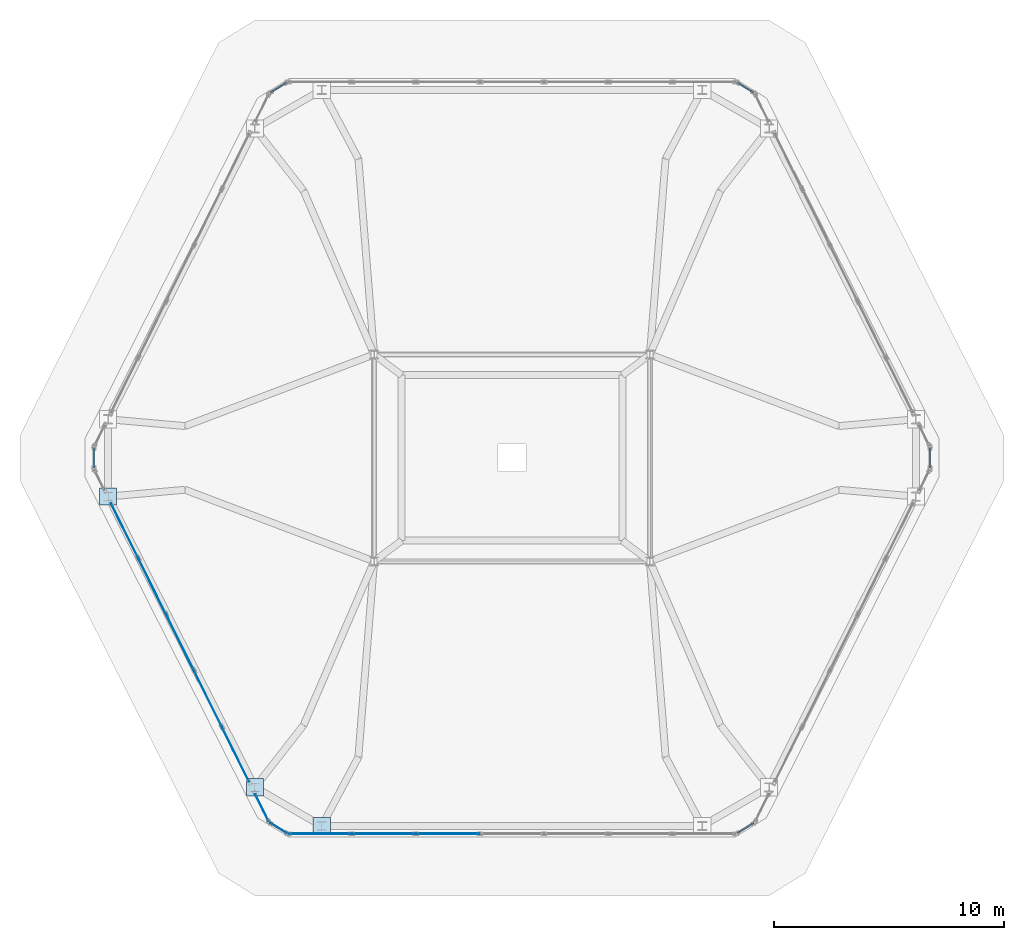
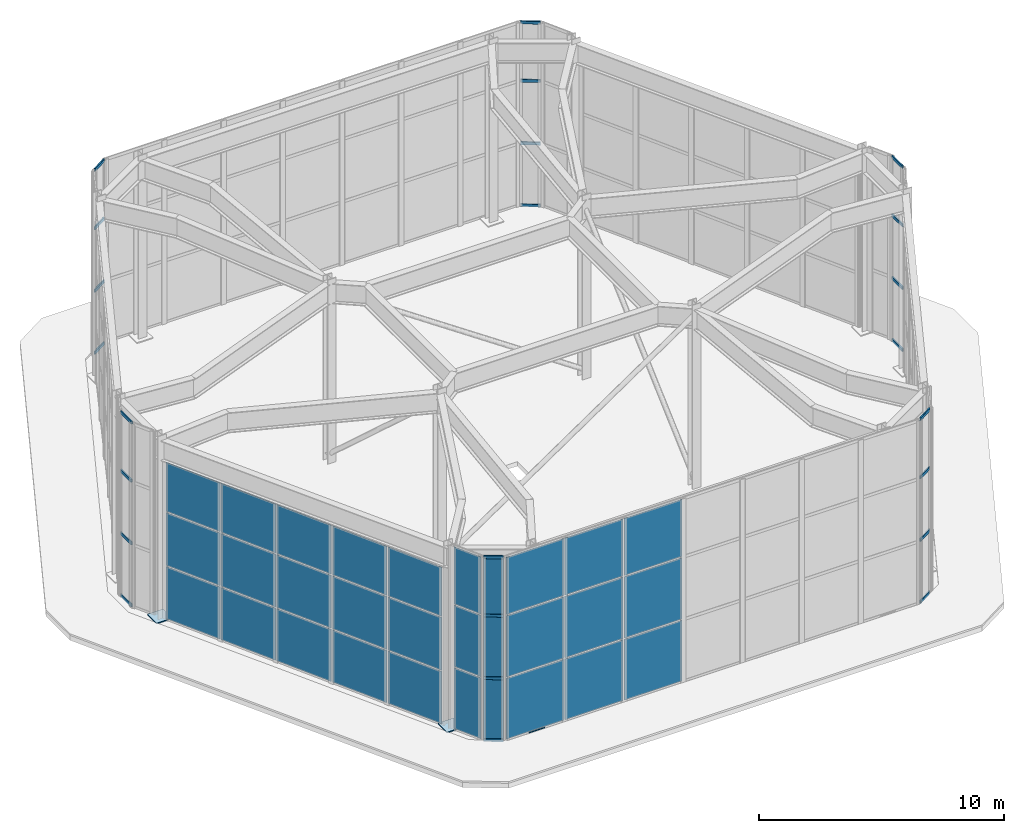
# One storey, part 9 of 12: 33 plates, 24 members, 9 elements without a shape of their own.
"""IFC4 building model written with IfcOpenShell, lengths in metres."""

from ifc_helpers import new_model, si_unit, direction, frame, origin, origin_2d, place, context, subcontext, project, spatial, rectangle, hollow_rectangle, extrude, material, layer, layer_set, material_profile, profile_set, type_object, element, aggregate, save


model = new_model("IFC4")

# Units and contexts
model_context = context("Model", 3, precision=1e-05, world=origin(), true_north=direction((0.0, 1.0)))
body_context = subcontext(model_context, "Body", "Model", "MODEL_VIEW")
ifc_project = project(units=[si_unit("LENGTHUNIT", "METRE"), si_unit("AREAUNIT", "SQUARE_METRE"), si_unit("VOLUMEUNIT", "CUBIC_METRE"), si_unit("PLANEANGLEUNIT", "RADIAN"), si_unit("MASSUNIT", "GRAM", prefix="KILO")], contexts=[model_context])

# Site, building, storey
site_placement = place(None, origin())
site = spatial("IfcSite", under=ifc_project, at=site_placement, CompositionType="ELEMENT")
building_placement = place(site_placement, origin())
building = spatial("IfcBuilding", under=site, at=building_placement, Name="Cinnabar Lancet Tower", CompositionType="ELEMENT")
storey_placement = place(building_placement, frame((0.0, 0.0, 305.5)))
storey = spatial("IfcBuildingStorey", under=building, at=storey_placement, Name="L80", CompositionType="ELEMENT", Elevation=305.5)

# Curtain wall, members
ifc_material_1 = material(Name="Thermally broken bronze-anodized aluminium and low-E glass", Category="aluminium")
ifc_layer_1 = layer(ifc_material_1, 0.179931640625)
ifc_layer_set_1 = layer_set([ifc_layer_1], Name="Thermally broken bronze-anodized aluminium and low-E glass")
curtain_wall_type = type_object("IfcCurtainWallType", Name="ENV-CW-SYS-05", PredefinedType="NOTDEFINED", material=ifc_layer_set_1)
curtain_wall_1_placement = place(storey_placement, origin())
curtain_wall_1 = element("IfcCurtainWall", 1, at=curtain_wall_1_placement, inside=storey, type_object=curtain_wall_type, Name="L80 Faceted Lancet Crown Curtain Wall 1", PredefinedType="NOTDEFINED")
ifc_material_2 = material(Name="Anodized architectural aluminium 6063-T6", Category="aluminium")
ifc_material_profile = material_profile(ifc_material_2, hollow_rectangle(XDim=0.06494140625, YDim=0.14990234375, WallThickness=0.00390625, InnerFilletRadius=0.001953125, OuterFilletRadius=0.006103515625, at=origin_2d()), Name="CW-TRN 150x65x4")
ifc_profile_set = profile_set([ifc_material_profile], Name="Anodized architectural aluminium 6063-T6")
member_type = type_object("IfcMemberType", Name="ENV-CW-TRN-160", PredefinedType="USERDEFINED", material=ifc_profile_set)
member_1_placement = place(storey_placement, frame((21.890869140625, 9.911376953125, 0.030029296875), z_axis=(0.849593860376, -0.527437458293, 0.0), x_axis=(0.527437458293, 0.849593860376, 0.0)))
member_1 = element("IfcMember", 2, at=member_1_placement, type_object=member_type, Name="CW-05 transom 1.1", ObjectType="TRANSOM", PredefinedType="USERDEFINED", context=body_context, shape_type="SweptSolid", body=[
    extrude(hollow_rectangle(XDim=0.06494140625, YDim=0.14990234375, WallThickness=0.00390625, InnerFilletRadius=0.001953125, OuterFilletRadius=0.006103515625, at=origin_2d()), origin(), (0.0, 0.0, 1.0), 0.814697265625),
])
member_2_placement = place(storey_placement, frame((21.890869140625, 9.911376953125, 3.1201171875), z_axis=(0.849593860376, -0.527437458293, 0.0), x_axis=(0.527437458293, 0.849593860376, 0.0)))
member_2 = element("IfcMember", 3, at=member_2_placement, type_object=member_type, Name="CW-05 transom 1.2", ObjectType="TRANSOM", PredefinedType="USERDEFINED", context=body_context, shape_type="SweptSolid", body=[
    extrude(hollow_rectangle(XDim=0.06494140625, YDim=0.14990234375, WallThickness=0.00390625, InnerFilletRadius=0.001953125, OuterFilletRadius=0.006103515625, at=origin_2d()), origin(), (0.0, 0.0, 1.0), 0.814697265625),
])
member_3_placement = place(storey_placement, frame((21.890869140625, 9.911376953125, 6.239013671875), z_axis=(0.849593860376, -0.527437458293, 0.0), x_axis=(0.527437458293, 0.849593860376, 0.0)))
member_3 = element("IfcMember", 4, at=member_3_placement, type_object=member_type, Name="CW-05 transom 1.3", ObjectType="TRANSOM", PredefinedType="USERDEFINED", context=body_context, shape_type="SweptSolid", body=[
    extrude(hollow_rectangle(XDim=0.06494140625, YDim=0.14990234375, WallThickness=0.00390625, InnerFilletRadius=0.001953125, OuterFilletRadius=0.006103515625, at=origin_2d()), origin(), (0.0, 0.0, 1.0), 0.814697265625),
])
member_4_placement = place(storey_placement, frame((21.890869140625, 9.911376953125, 9.14501953125), z_axis=(0.849593860376, -0.527437458293, 0.0), x_axis=(0.527437458293, 0.849593860376, 0.0)))
member_4 = element("IfcMember", 5, at=member_4_placement, type_object=member_type, Name="CW-05 transom 1.4", ObjectType="TRANSOM", PredefinedType="USERDEFINED", context=body_context, shape_type="SweptSolid", body=[
    extrude(hollow_rectangle(XDim=0.06494140625, YDim=0.14990234375, WallThickness=0.00390625, InnerFilletRadius=0.001953125, OuterFilletRadius=0.006103515625, at=origin_2d()), origin(), (0.0, 0.0, 1.0), 0.814697265625),
])

curtain_wall_2_placement = place(storey_placement, origin())
curtain_wall_2 = element("IfcCurtainWall", 6, at=curtain_wall_2_placement, inside=storey, type_object=curtain_wall_type, Name="L80 Faceted Lancet Crown Curtain Wall 3", PredefinedType="NOTDEFINED")
member_5_placement = place(storey_placement, frame((42.217041015625, 9.481689453125, 0.030029296875), z_axis=(0.849510460362, 0.52757177496, 0.0), x_axis=(-0.52757177496, 0.849510460362, 0.0)))
member_5 = element("IfcMember", 7, at=member_5_placement, type_object=member_type, Name="CW-05 transom 1.1", ObjectType="TRANSOM", PredefinedType="USERDEFINED", context=body_context, shape_type="SweptSolid", body=[
    extrude(hollow_rectangle(XDim=0.06494140625, YDim=0.14990234375, WallThickness=0.00390625, InnerFilletRadius=0.001953125, OuterFilletRadius=0.006103515625, at=origin_2d()), origin(), (0.0, 0.0, 1.0), 0.814453125),
])
member_6_placement = place(storey_placement, frame((42.217041015625, 9.481689453125, 3.1201171875), z_axis=(0.849510460362, 0.52757177496, 0.0), x_axis=(-0.52757177496, 0.849510460362, 0.0)))
member_6 = element("IfcMember", 8, at=member_6_placement, type_object=member_type, Name="CW-05 transom 1.2", ObjectType="TRANSOM", PredefinedType="USERDEFINED", context=body_context, shape_type="SweptSolid", body=[
    extrude(hollow_rectangle(XDim=0.06494140625, YDim=0.14990234375, WallThickness=0.00390625, InnerFilletRadius=0.001953125, OuterFilletRadius=0.006103515625, at=origin_2d()), origin(), (0.0, 0.0, 1.0), 0.814453125),
])
member_7_placement = place(storey_placement, frame((42.217041015625, 9.481689453125, 6.239013671875), z_axis=(0.849510460362, 0.52757177496, 0.0), x_axis=(-0.52757177496, 0.849510460362, 0.0)))
member_7 = element("IfcMember", 9, at=member_7_placement, type_object=member_type, Name="CW-05 transom 1.3", ObjectType="TRANSOM", PredefinedType="USERDEFINED", context=body_context, shape_type="SweptSolid", body=[
    extrude(hollow_rectangle(XDim=0.06494140625, YDim=0.14990234375, WallThickness=0.00390625, InnerFilletRadius=0.001953125, OuterFilletRadius=0.006103515625, at=origin_2d()), origin(), (0.0, 0.0, 1.0), 0.814453125),
])
member_8_placement = place(storey_placement, frame((42.217041015625, 9.481689453125, 9.14501953125), z_axis=(0.849510460362, 0.52757177496, 0.0), x_axis=(-0.52757177496, 0.849510460362, 0.0)))
member_8 = element("IfcMember", 10, at=member_8_placement, type_object=member_type, Name="CW-05 transom 1.4", ObjectType="TRANSOM", PredefinedType="USERDEFINED", context=body_context, shape_type="SweptSolid", body=[
    extrude(hollow_rectangle(XDim=0.06494140625, YDim=0.14990234375, WallThickness=0.00390625, InnerFilletRadius=0.001953125, OuterFilletRadius=0.006103515625, at=origin_2d()), origin(), (0.0, 0.0, 1.0), 0.814453125),
])
aggregate(curtain_wall_2, [member_5, member_6, member_7, member_8])

curtain_wall_3_placement = place(storey_placement, origin())
curtain_wall_3 = element("IfcCurtainWall", 11, at=curtain_wall_3_placement, inside=storey, type_object=curtain_wall_type, Name="L80 Faceted Lancet Crown Curtain Wall 7", PredefinedType="NOTDEFINED")
member_9_placement = place(storey_placement, frame((50.576904296875, 25.366943359375, 0.030029296875), z_axis=(0.0, 1.0, 0.0), x_axis=(-1.0, 0.0, 0.0)))
member_9 = element("IfcMember", 12, at=member_9_placement, type_object=member_type, Name="CW-05 transom 1.1", ObjectType="TRANSOM", PredefinedType="USERDEFINED", context=body_context, shape_type="SweptSolid", body=[
    extrude(hollow_rectangle(XDim=0.06494140625, YDim=0.14990234375, WallThickness=0.00390625, InnerFilletRadius=0.001953125, OuterFilletRadius=0.006103515625, at=origin_2d()), origin(), (0.0, 0.0, 1.0), 0.865966796875),
])
member_10_placement = place(storey_placement, frame((50.576904296875, 25.366943359375, 3.1201171875), z_axis=(0.0, 1.0, 0.0), x_axis=(-1.0, 0.0, 0.0)))
member_10 = element("IfcMember", 13, at=member_10_placement, type_object=member_type, Name="CW-05 transom 1.2", ObjectType="TRANSOM", PredefinedType="USERDEFINED", context=body_context, shape_type="SweptSolid", body=[
    extrude(hollow_rectangle(XDim=0.06494140625, YDim=0.14990234375, WallThickness=0.00390625, InnerFilletRadius=0.001953125, OuterFilletRadius=0.006103515625, at=origin_2d()), origin(), (0.0, 0.0, 1.0), 0.865966796875),
])
member_11_placement = place(storey_placement, frame((50.576904296875, 25.366943359375, 6.239013671875), z_axis=(0.0, 1.0, 0.0), x_axis=(-1.0, 0.0, 0.0)))
member_11 = element("IfcMember", 14, at=member_11_placement, type_object=member_type, Name="CW-05 transom 1.3", ObjectType="TRANSOM", PredefinedType="USERDEFINED", context=body_context, shape_type="SweptSolid", body=[
    extrude(hollow_rectangle(XDim=0.06494140625, YDim=0.14990234375, WallThickness=0.00390625, InnerFilletRadius=0.001953125, OuterFilletRadius=0.006103515625, at=origin_2d()), origin(), (0.0, 0.0, 1.0), 0.865966796875),
])
member_12_placement = place(storey_placement, frame((50.576904296875, 25.366943359375, 9.14501953125), z_axis=(0.0, 1.0, 0.0), x_axis=(-1.0, 0.0, 0.0)))
member_12 = element("IfcMember", 15, at=member_12_placement, type_object=member_type, Name="CW-05 transom 1.4", ObjectType="TRANSOM", PredefinedType="USERDEFINED", context=body_context, shape_type="SweptSolid", body=[
    extrude(hollow_rectangle(XDim=0.06494140625, YDim=0.14990234375, WallThickness=0.00390625, InnerFilletRadius=0.001953125, OuterFilletRadius=0.006103515625, at=origin_2d()), origin(), (0.0, 0.0, 1.0), 0.865966796875),
])
aggregate(curtain_wall_3, [member_9, member_10, member_11, member_12])

curtain_wall_4_placement = place(storey_placement, origin())
curtain_wall_4 = element("IfcCurtainWall", 16, at=curtain_wall_4_placement, inside=storey, type_object=curtain_wall_type, Name="L80 Faceted Lancet Crown Curtain Wall 11", PredefinedType="NOTDEFINED")
member_13_placement = place(storey_placement, frame((42.908935546875, 41.688720703125, 0.030029296875), z_axis=(-0.849510460362, 0.52757177496, 0.0), x_axis=(-0.52757177496, -0.849510460362, 0.0)))
member_13 = element("IfcMember", 17, at=member_13_placement, type_object=member_type, Name="CW-05 transom 1.1", ObjectType="TRANSOM", PredefinedType="USERDEFINED", context=body_context, shape_type="SweptSolid", body=[
    extrude(hollow_rectangle(XDim=0.06494140625, YDim=0.14990234375, WallThickness=0.00390625, InnerFilletRadius=0.001953125, OuterFilletRadius=0.006103515625, at=origin_2d()), origin(), (0.0, 0.0, 1.0), 0.814453125),
])
member_14_placement = place(storey_placement, frame((42.908935546875, 41.688720703125, 3.1201171875), z_axis=(-0.849510460362, 0.52757177496, 0.0), x_axis=(-0.52757177496, -0.849510460362, 0.0)))
member_14 = element("IfcMember", 18, at=member_14_placement, type_object=member_type, Name="CW-05 transom 1.2", ObjectType="TRANSOM", PredefinedType="USERDEFINED", context=body_context, shape_type="SweptSolid", body=[
    extrude(hollow_rectangle(XDim=0.06494140625, YDim=0.14990234375, WallThickness=0.00390625, InnerFilletRadius=0.001953125, OuterFilletRadius=0.006103515625, at=origin_2d()), origin(), (0.0, 0.0, 1.0), 0.814453125),
])
member_15_placement = place(storey_placement, frame((42.908935546875, 41.688720703125, 6.239013671875), z_axis=(-0.849510460362, 0.52757177496, 0.0), x_axis=(-0.52757177496, -0.849510460362, 0.0)))
member_15 = element("IfcMember", 19, at=member_15_placement, type_object=member_type, Name="CW-05 transom 1.3", ObjectType="TRANSOM", PredefinedType="USERDEFINED", context=body_context, shape_type="SweptSolid", body=[
    extrude(hollow_rectangle(XDim=0.06494140625, YDim=0.14990234375, WallThickness=0.00390625, InnerFilletRadius=0.001953125, OuterFilletRadius=0.006103515625, at=origin_2d()), origin(), (0.0, 0.0, 1.0), 0.814453125),
])
member_16_placement = place(storey_placement, frame((42.908935546875, 41.688720703125, 9.14501953125), z_axis=(-0.849510460362, 0.52757177496, 0.0), x_axis=(-0.52757177496, -0.849510460362, 0.0)))
member_16 = element("IfcMember", 20, at=member_16_placement, type_object=member_type, Name="CW-05 transom 1.4", ObjectType="TRANSOM", PredefinedType="USERDEFINED", context=body_context, shape_type="SweptSolid", body=[
    extrude(hollow_rectangle(XDim=0.06494140625, YDim=0.14990234375, WallThickness=0.00390625, InnerFilletRadius=0.001953125, OuterFilletRadius=0.006103515625, at=origin_2d()), origin(), (0.0, 0.0, 1.0), 0.814453125),
])
aggregate(curtain_wall_4, [member_13, member_14, member_15, member_16])

curtain_wall_5_placement = place(storey_placement, origin())
curtain_wall_5 = element("IfcCurtainWall", 21, at=curtain_wall_5_placement, inside=storey, type_object=curtain_wall_type, Name="L80 Faceted Lancet Crown Curtain Wall 13", PredefinedType="NOTDEFINED")
member_17_placement = place(storey_placement, frame((22.5830078125, 42.118408203125, 0.030029296875), z_axis=(-0.849593860376, -0.527437458293, 0.0), x_axis=(0.527437458293, -0.849593860376, 0.0)))
member_17 = element("IfcMember", 22, at=member_17_placement, type_object=member_type, Name="CW-05 transom 1.1", ObjectType="TRANSOM", PredefinedType="USERDEFINED", context=body_context, shape_type="SweptSolid", body=[
    extrude(hollow_rectangle(XDim=0.06494140625, YDim=0.14990234375, WallThickness=0.00390625, InnerFilletRadius=0.001953125, OuterFilletRadius=0.006103515625, at=origin_2d()), origin(), (0.0, 0.0, 1.0), 0.814697265625),
])
member_18_placement = place(storey_placement, frame((22.5830078125, 42.118408203125, 3.1201171875), z_axis=(-0.849593860376, -0.527437458293, 0.0), x_axis=(0.527437458293, -0.849593860376, 0.0)))
member_18 = element("IfcMember", 23, at=member_18_placement, type_object=member_type, Name="CW-05 transom 1.2", ObjectType="TRANSOM", PredefinedType="USERDEFINED", context=body_context, shape_type="SweptSolid", body=[
    extrude(hollow_rectangle(XDim=0.06494140625, YDim=0.14990234375, WallThickness=0.00390625, InnerFilletRadius=0.001953125, OuterFilletRadius=0.006103515625, at=origin_2d()), origin(), (0.0, 0.0, 1.0), 0.814697265625),
])
member_19_placement = place(storey_placement, frame((22.5830078125, 42.118408203125, 6.239013671875), z_axis=(-0.849593860376, -0.527437458293, 0.0), x_axis=(0.527437458293, -0.849593860376, 0.0)))
member_19 = element("IfcMember", 24, at=member_19_placement, type_object=member_type, Name="CW-05 transom 1.3", ObjectType="TRANSOM", PredefinedType="USERDEFINED", context=body_context, shape_type="SweptSolid", body=[
    extrude(hollow_rectangle(XDim=0.06494140625, YDim=0.14990234375, WallThickness=0.00390625, InnerFilletRadius=0.001953125, OuterFilletRadius=0.006103515625, at=origin_2d()), origin(), (0.0, 0.0, 1.0), 0.814697265625),
])
member_20_placement = place(storey_placement, frame((22.5830078125, 42.118408203125, 9.14501953125), z_axis=(-0.849593860376, -0.527437458293, 0.0), x_axis=(0.527437458293, -0.849593860376, 0.0)))
member_20 = element("IfcMember", 25, at=member_20_placement, type_object=member_type, Name="CW-05 transom 1.4", ObjectType="TRANSOM", PredefinedType="USERDEFINED", context=body_context, shape_type="SweptSolid", body=[
    extrude(hollow_rectangle(XDim=0.06494140625, YDim=0.14990234375, WallThickness=0.00390625, InnerFilletRadius=0.001953125, OuterFilletRadius=0.006103515625, at=origin_2d()), origin(), (0.0, 0.0, 1.0), 0.814697265625),
])
aggregate(curtain_wall_5, [member_17, member_18, member_19, member_20])

curtain_wall_6_placement = place(storey_placement, origin())
curtain_wall_6 = element("IfcCurtainWall", 26, at=curtain_wall_6_placement, inside=storey, type_object=curtain_wall_type, Name="L80 Faceted Lancet Crown Curtain Wall 17", PredefinedType="NOTDEFINED")
member_21_placement = place(storey_placement, frame((14.222900390625, 26.23291015625, 0.030029296875), z_axis=(0.0, -1.0, 0.0), x_axis=(1.0, 0.0, 0.0)))
member_21 = element("IfcMember", 27, at=member_21_placement, type_object=member_type, Name="CW-05 transom 1.1", ObjectType="TRANSOM", PredefinedType="USERDEFINED", context=body_context, shape_type="SweptSolid", body=[
    extrude(hollow_rectangle(XDim=0.06494140625, YDim=0.14990234375, WallThickness=0.00390625, InnerFilletRadius=0.001953125, OuterFilletRadius=0.006103515625, at=origin_2d()), origin(), (0.0, 0.0, 1.0), 0.865966796875),
])
member_22_placement = place(storey_placement, frame((14.222900390625, 26.23291015625, 3.1201171875), z_axis=(0.0, -1.0, 0.0), x_axis=(1.0, 0.0, 0.0)))
member_22 = element("IfcMember", 28, at=member_22_placement, type_object=member_type, Name="CW-05 transom 1.2", ObjectType="TRANSOM", PredefinedType="USERDEFINED", context=body_context, shape_type="SweptSolid", body=[
    extrude(hollow_rectangle(XDim=0.06494140625, YDim=0.14990234375, WallThickness=0.00390625, InnerFilletRadius=0.001953125, OuterFilletRadius=0.006103515625, at=origin_2d()), origin(), (0.0, 0.0, 1.0), 0.865966796875),
])
member_23_placement = place(storey_placement, frame((14.222900390625, 26.23291015625, 6.239013671875), z_axis=(0.0, -1.0, 0.0), x_axis=(1.0, 0.0, 0.0)))
member_23 = element("IfcMember", 29, at=member_23_placement, type_object=member_type, Name="CW-05 transom 1.3", ObjectType="TRANSOM", PredefinedType="USERDEFINED", context=body_context, shape_type="SweptSolid", body=[
    extrude(hollow_rectangle(XDim=0.06494140625, YDim=0.14990234375, WallThickness=0.00390625, InnerFilletRadius=0.001953125, OuterFilletRadius=0.006103515625, at=origin_2d()), origin(), (0.0, 0.0, 1.0), 0.865966796875),
])
member_24_placement = place(storey_placement, frame((14.222900390625, 26.23291015625, 9.14501953125), z_axis=(0.0, -1.0, 0.0), x_axis=(1.0, 0.0, 0.0)))
member_24 = element("IfcMember", 30, at=member_24_placement, type_object=member_type, Name="CW-05 transom 1.4", ObjectType="TRANSOM", PredefinedType="USERDEFINED", context=body_context, shape_type="SweptSolid", body=[
    extrude(hollow_rectangle(XDim=0.06494140625, YDim=0.14990234375, WallThickness=0.00390625, InnerFilletRadius=0.001953125, OuterFilletRadius=0.006103515625, at=origin_2d()), origin(), (0.0, 0.0, 1.0), 0.865966796875),
])
aggregate(curtain_wall_6, [member_21, member_22, member_23, member_24])

# Plate
ifc_material_3 = material(Name="Acoustic solar-control low-E laminated glass unit", Category="glass")
ifc_layer_2 = layer(ifc_material_3, 0.035888671875)
ifc_layer_set_2 = layer_set([ifc_layer_2], Name="Acoustic solar-control low-E laminated glass unit")
plate_type_1 = type_object("IfcPlateType", Name="ENV-CW-PNL-36", PredefinedType="CURTAIN_PANEL", material=ifc_layer_set_2)
plate_1_placement = place(storey_placement, frame((22.237060546875, 9.696533203125, 0.06005859375), z_axis=(0.0, 0.0, 1.0), x_axis=(0.849557497009, -0.527496027734, 0.0)))
plate_1 = element("IfcPlate", 31, at=plate_1_placement, type_object=plate_type_1, Name="CW-05 panel 1.1", PredefinedType="CURTAIN_PANEL", context=body_context, shape_type="SweptSolid", body=[
    extrude(rectangle(XDim=0.814697265625, YDim=0.028076171875, at=origin_2d()), origin(), (0.0, 0.0, 1.0), 3.030029296875),
])

plate_2_placement = place(storey_placement, frame((22.237060546875, 9.696533203125, 3.14990234375), z_axis=(0.0, 0.0, 1.0), x_axis=(0.849557497009, -0.527496027734, 0.0)))
plate_2 = element("IfcPlate", 32, at=plate_2_placement, type_object=plate_type_1, Name="CW-05 panel 1.2", PredefinedType="CURTAIN_PANEL", context=body_context, shape_type="SweptSolid", body=[
    extrude(rectangle(XDim=0.814697265625, YDim=0.028076171875, at=origin_2d()), origin(), (0.0, 0.0, 1.0), 3.05908203125),
])

plate_3_placement = place(storey_placement, frame((22.237060546875, 9.696533203125, 6.26904296875), z_axis=(0.0, 0.0, 1.0), x_axis=(0.849557497009, -0.527496027734, 0.0)))
plate_3 = element("IfcPlate", 33, at=plate_3_placement, type_object=plate_type_1, Name="CW-05 panel 1.3", PredefinedType="CURTAIN_PANEL", context=body_context, shape_type="SweptSolid", body=[
    extrude(rectangle(XDim=0.814697265625, YDim=0.028076171875, at=origin_2d()), origin(), (0.0, 0.0, 1.0), 2.845947265625),
])

aggregate(curtain_wall_1, [member_1, member_2, member_3, member_4, plate_1, plate_2, plate_3])

# Curtain wall, plates
curtain_wall_7_placement = place(storey_placement, origin())
curtain_wall_7 = element("IfcCurtainWall", 34, at=curtain_wall_7_placement, inside=storey, type_object=curtain_wall_type, Name="L80 Faceted Lancet Crown Curtain Wall 2", PredefinedType="NOTDEFINED")
plate_4_placement = place(storey_placement, frame((24.044189453125, 9.449951171875, 0.06005859375), z_axis=(0.0, 0.0, 1.0), x_axis=(1.0, 0.0, 0.0)))
plate_4 = element("IfcPlate", 35, at=plate_4_placement, type_object=plate_type_1, Name="CW-05 panel 1.1", PredefinedType="CURTAIN_PANEL", context=body_context, shape_type="SweptSolid", body=[
    extrude(rectangle(XDim=2.7001953125, YDim=0.028076171875, at=origin_2d()), origin(), (0.0, 0.0, 1.0), 3.030029296875),
])
plate_5_placement = place(storey_placement, frame((24.044189453125, 9.449951171875, 3.14990234375), z_axis=(0.0, 0.0, 1.0), x_axis=(1.0, 0.0, 0.0)))
plate_5 = element("IfcPlate", 36, at=plate_5_placement, type_object=plate_type_1, Name="CW-05 panel 1.2", PredefinedType="CURTAIN_PANEL", context=body_context, shape_type="SweptSolid", body=[
    extrude(rectangle(XDim=2.7001953125, YDim=0.028076171875, at=origin_2d()), origin(), (0.0, 0.0, 1.0), 3.05908203125),
])
plate_6_placement = place(storey_placement, frame((24.044189453125, 9.449951171875, 6.26904296875), z_axis=(0.0, 0.0, 1.0), x_axis=(1.0, 0.0, 0.0)))
plate_6 = element("IfcPlate", 37, at=plate_6_placement, type_object=plate_type_1, Name="CW-05 panel 1.3", PredefinedType="CURTAIN_PANEL", context=body_context, shape_type="SweptSolid", body=[
    extrude(rectangle(XDim=2.7001953125, YDim=0.028076171875, at=origin_2d()), origin(), (0.0, 0.0, 1.0), 2.845947265625),
])
plate_7_placement = place(storey_placement, frame((26.8193359375, 9.449951171875, 0.06005859375), z_axis=(0.0, 0.0, 1.0), x_axis=(1.0, 0.0, 0.0)))
plate_7 = element("IfcPlate", 38, at=plate_7_placement, type_object=plate_type_1, Name="CW-05 panel 2.1", PredefinedType="CURTAIN_PANEL", context=body_context, shape_type="SweptSolid", body=[
    extrude(rectangle(XDim=2.730224609375, YDim=0.028076171875, at=origin_2d()), origin(), (0.0, 0.0, 1.0), 3.030029296875),
])
plate_8_placement = place(storey_placement, frame((26.8193359375, 9.449951171875, 3.14990234375), z_axis=(0.0, 0.0, 1.0), x_axis=(1.0, 0.0, 0.0)))
plate_8 = element("IfcPlate", 39, at=plate_8_placement, type_object=plate_type_1, Name="CW-05 panel 2.2", PredefinedType="CURTAIN_PANEL", context=body_context, shape_type="SweptSolid", body=[
    extrude(rectangle(XDim=2.730224609375, YDim=0.028076171875, at=origin_2d()), origin(), (0.0, 0.0, 1.0), 3.05908203125),
])
plate_9_placement = place(storey_placement, frame((26.8193359375, 9.449951171875, 6.26904296875), z_axis=(0.0, 0.0, 1.0), x_axis=(1.0, 0.0, 0.0)))
plate_9 = element("IfcPlate", 40, at=plate_9_placement, type_object=plate_type_1, Name="CW-05 panel 2.3", PredefinedType="CURTAIN_PANEL", context=body_context, shape_type="SweptSolid", body=[
    extrude(rectangle(XDim=2.730224609375, YDim=0.028076171875, at=origin_2d()), origin(), (0.0, 0.0, 1.0), 2.845947265625),
])
plate_10_placement = place(storey_placement, frame((29.609619140625, 9.449951171875, 0.06005859375), z_axis=(0.0, 0.0, 1.0), x_axis=(1.0, 0.0, 0.0)))
plate_10 = element("IfcPlate", 41, at=plate_10_placement, type_object=plate_type_1, Name="CW-05 panel 3.1", PredefinedType="CURTAIN_PANEL", context=body_context, shape_type="SweptSolid", body=[
    extrude(rectangle(XDim=2.730224609375, YDim=0.028076171875, at=origin_2d()), origin(), (0.0, 0.0, 1.0), 3.030029296875),
])
plate_11_placement = place(storey_placement, frame((29.609619140625, 9.449951171875, 3.14990234375), z_axis=(0.0, 0.0, 1.0), x_axis=(1.0, 0.0, 0.0)))
plate_11 = element("IfcPlate", 42, at=plate_11_placement, type_object=plate_type_1, Name="CW-05 panel 3.2", PredefinedType="CURTAIN_PANEL", context=body_context, shape_type="SweptSolid", body=[
    extrude(rectangle(XDim=2.730224609375, YDim=0.028076171875, at=origin_2d()), origin(), (0.0, 0.0, 1.0), 3.05908203125),
])
plate_12_placement = place(storey_placement, frame((29.609619140625, 9.449951171875, 6.26904296875), z_axis=(0.0, 0.0, 1.0), x_axis=(1.0, 0.0, 0.0)))
plate_12 = element("IfcPlate", 43, at=plate_12_placement, type_object=plate_type_1, Name="CW-05 panel 3.3", PredefinedType="CURTAIN_PANEL", context=body_context, shape_type="SweptSolid", body=[
    extrude(rectangle(XDim=2.730224609375, YDim=0.028076171875, at=origin_2d()), origin(), (0.0, 0.0, 1.0), 2.845947265625),
])
aggregate(curtain_wall_7, [plate_4, plate_5, plate_6, plate_7, plate_8, plate_9, plate_10, plate_11, plate_12])

curtain_wall_8_placement = place(storey_placement, origin())
curtain_wall_8 = element("IfcCurtainWall", 44, at=curtain_wall_8_placement, inside=storey, type_object=curtain_wall_type, Name="L80 Faceted Lancet Crown Curtain Wall 19", PredefinedType="NOTDEFINED")
plate_13_placement = place(storey_placement, frame((15.546142578125, 22.63818359375, 0.06005859375), z_axis=(0.0, 0.0, 1.0), x_axis=(0.44415945955, -0.8959477521, 0.0)))
plate_13 = element("IfcPlate", 45, at=plate_13_placement, type_object=plate_type_1, Name="CW-05 panel 1.1", PredefinedType="CURTAIN_PANEL", context=body_context, shape_type="SweptSolid", body=[
    extrude(rectangle(XDim=2.636474609375, YDim=0.028076171875, at=origin_2d()), origin(), (0.0, 0.0, 1.0), 2.60107421875),
])
plate_14_placement = place(storey_placement, frame((15.546142578125, 22.63818359375, 2.72119140625), z_axis=(0.0, 0.0, 1.0), x_axis=(0.44415945955, -0.8959477521, 0.0)))
plate_14 = element("IfcPlate", 46, at=plate_14_placement, type_object=plate_type_1, Name="CW-05 panel 1.2", PredefinedType="CURTAIN_PANEL", context=body_context, shape_type="SweptSolid", body=[
    extrude(rectangle(XDim=2.636474609375, YDim=0.028076171875, at=origin_2d()), origin(), (0.0, 0.0, 1.0), 2.631103515625),
])
plate_15_placement = place(storey_placement, frame((15.546142578125, 22.63818359375, 5.412109375), z_axis=(0.0, 0.0, 1.0), x_axis=(0.44415945955, -0.8959477521, 0.0)))
plate_15 = element("IfcPlate", 47, at=plate_15_placement, type_object=plate_type_1, Name="CW-05 panel 1.3", PredefinedType="CURTAIN_PANEL", context=body_context, shape_type="SweptSolid", body=[
    extrude(rectangle(XDim=2.636474609375, YDim=0.028076171875, at=origin_2d()), origin(), (0.0, 0.0, 1.0), 2.443115234375),
])
plate_16_placement = place(storey_placement, frame((16.75048828125, 20.208740234375, 0.06005859375), z_axis=(0.0, 0.0, 1.0), x_axis=(0.44415945955, -0.8959477521, 0.0)))
plate_16 = element("IfcPlate", 48, at=plate_16_placement, type_object=plate_type_1, Name="CW-05 panel 2.1", PredefinedType="CURTAIN_PANEL", context=body_context, shape_type="SweptSolid", body=[
    extrude(rectangle(XDim=2.66650390625, YDim=0.028076171875, at=origin_2d()), origin(), (0.0, 0.0, 1.0), 2.60107421875),
])
plate_17_placement = place(storey_placement, frame((16.75048828125, 20.208740234375, 2.72119140625), z_axis=(0.0, 0.0, 1.0), x_axis=(0.44415945955, -0.8959477521, 0.0)))
plate_17 = element("IfcPlate", 49, at=plate_17_placement, type_object=plate_type_1, Name="CW-05 panel 2.2", PredefinedType="CURTAIN_PANEL", context=body_context, shape_type="SweptSolid", body=[
    extrude(rectangle(XDim=2.66650390625, YDim=0.028076171875, at=origin_2d()), origin(), (0.0, 0.0, 1.0), 2.631103515625),
])
plate_18_placement = place(storey_placement, frame((16.75048828125, 20.208740234375, 5.412109375), z_axis=(0.0, 0.0, 1.0), x_axis=(0.44415945955, -0.8959477521, 0.0)))
plate_18 = element("IfcPlate", 50, at=plate_18_placement, type_object=plate_type_1, Name="CW-05 panel 2.3", PredefinedType="CURTAIN_PANEL", context=body_context, shape_type="SweptSolid", body=[
    extrude(rectangle(XDim=2.66650390625, YDim=0.028076171875, at=origin_2d()), origin(), (0.0, 0.0, 1.0), 2.443115234375),
])
plate_19_placement = place(storey_placement, frame((17.96142578125, 17.76611328125, 0.06005859375), z_axis=(0.0, 0.0, 1.0), x_axis=(0.44415945955, -0.8959477521, 0.0)))
plate_19 = element("IfcPlate", 51, at=plate_19_placement, type_object=plate_type_1, Name="CW-05 panel 3.1", PredefinedType="CURTAIN_PANEL", context=body_context, shape_type="SweptSolid", body=[
    extrude(rectangle(XDim=2.66650390625, YDim=0.028076171875, at=origin_2d()), origin(), (0.0, 0.0, 1.0), 2.60107421875),
])
plate_20_placement = place(storey_placement, frame((17.96142578125, 17.76611328125, 2.72119140625), z_axis=(0.0, 0.0, 1.0), x_axis=(0.44415945955, -0.8959477521, 0.0)))
plate_20 = element("IfcPlate", 52, at=plate_20_placement, type_object=plate_type_1, Name="CW-05 panel 3.2", PredefinedType="CURTAIN_PANEL", context=body_context, shape_type="SweptSolid", body=[
    extrude(rectangle(XDim=2.66650390625, YDim=0.028076171875, at=origin_2d()), origin(), (0.0, 0.0, 1.0), 2.631103515625),
])
plate_21_placement = place(storey_placement, frame((17.96142578125, 17.76611328125, 5.412109375), z_axis=(0.0, 0.0, 1.0), x_axis=(0.44415945955, -0.8959477521, 0.0)))
plate_21 = element("IfcPlate", 53, at=plate_21_placement, type_object=plate_type_1, Name="CW-05 panel 3.3", PredefinedType="CURTAIN_PANEL", context=body_context, shape_type="SweptSolid", body=[
    extrude(rectangle(XDim=2.66650390625, YDim=0.028076171875, at=origin_2d()), origin(), (0.0, 0.0, 1.0), 2.443115234375),
])
plate_22_placement = place(storey_placement, frame((19.172607421875, 15.3232421875, 0.06005859375), z_axis=(0.0, 0.0, 1.0), x_axis=(0.44415945955, -0.8959477521, 0.0)))
plate_22 = element("IfcPlate", 54, at=plate_22_placement, type_object=plate_type_1, Name="CW-05 panel 4.1", PredefinedType="CURTAIN_PANEL", context=body_context, shape_type="SweptSolid", body=[
    extrude(rectangle(XDim=2.66650390625, YDim=0.028076171875, at=origin_2d()), origin(), (0.0, 0.0, 1.0), 2.60107421875),
])
plate_23_placement = place(storey_placement, frame((19.172607421875, 15.3232421875, 2.72119140625), z_axis=(0.0, 0.0, 1.0), x_axis=(0.44415945955, -0.8959477521, 0.0)))
plate_23 = element("IfcPlate", 55, at=plate_23_placement, type_object=plate_type_1, Name="CW-05 panel 4.2", PredefinedType="CURTAIN_PANEL", context=body_context, shape_type="SweptSolid", body=[
    extrude(rectangle(XDim=2.66650390625, YDim=0.028076171875, at=origin_2d()), origin(), (0.0, 0.0, 1.0), 2.631103515625),
])
plate_24_placement = place(storey_placement, frame((19.172607421875, 15.3232421875, 5.412109375), z_axis=(0.0, 0.0, 1.0), x_axis=(0.44415945955, -0.8959477521, 0.0)))
plate_24 = element("IfcPlate", 56, at=plate_24_placement, type_object=plate_type_1, Name="CW-05 panel 4.3", PredefinedType="CURTAIN_PANEL", context=body_context, shape_type="SweptSolid", body=[
    extrude(rectangle(XDim=2.66650390625, YDim=0.028076171875, at=origin_2d()), origin(), (0.0, 0.0, 1.0), 2.443115234375),
])
plate_25_placement = place(storey_placement, frame((20.376953125, 12.893798828125, 0.06005859375), z_axis=(0.0, 0.0, 1.0), x_axis=(0.44415945955, -0.8959477521, 0.0)))
plate_25 = element("IfcPlate", 57, at=plate_25_placement, type_object=plate_type_1, Name="CW-05 panel 5.1", PredefinedType="CURTAIN_PANEL", context=body_context, shape_type="SweptSolid", body=[
    extrude(rectangle(XDim=2.636474609375, YDim=0.028076171875, at=origin_2d()), origin(), (0.0, 0.0, 1.0), 2.60107421875),
])
plate_26_placement = place(storey_placement, frame((20.376953125, 12.893798828125, 2.72119140625), z_axis=(0.0, 0.0, 1.0), x_axis=(0.44415945955, -0.8959477521, 0.0)))
plate_26 = element("IfcPlate", 58, at=plate_26_placement, type_object=plate_type_1, Name="CW-05 panel 5.2", PredefinedType="CURTAIN_PANEL", context=body_context, shape_type="SweptSolid", body=[
    extrude(rectangle(XDim=2.636474609375, YDim=0.028076171875, at=origin_2d()), origin(), (0.0, 0.0, 1.0), 2.631103515625),
])
plate_27_placement = place(storey_placement, frame((20.376953125, 12.893798828125, 5.412109375), z_axis=(0.0, 0.0, 1.0), x_axis=(0.44415945955, -0.8959477521, 0.0)))
plate_27 = element("IfcPlate", 59, at=plate_27_placement, type_object=plate_type_1, Name="CW-05 panel 5.3", PredefinedType="CURTAIN_PANEL", context=body_context, shape_type="SweptSolid", body=[
    extrude(rectangle(XDim=2.636474609375, YDim=0.028076171875, at=origin_2d()), origin(), (0.0, 0.0, 1.0), 2.443115234375),
])
aggregate(curtain_wall_8, [plate_13, plate_14, plate_15, plate_16, plate_17, plate_18, plate_19, plate_20, plate_21, plate_22, plate_23, plate_24, plate_25, plate_26, plate_27])

curtain_wall_9_placement = place(storey_placement, origin())
curtain_wall_9 = element("IfcCurtainWall", 60, at=curtain_wall_9_placement, inside=storey, type_object=curtain_wall_type, Name="L80 Faceted Lancet Crown Curtain Wall 20", PredefinedType="NOTDEFINED")
plate_28_placement = place(storey_placement, frame((21.52197265625, 10.583984375, 0.06005859375), z_axis=(0.0, 0.0, 1.0), x_axis=(0.444416340533, -0.895820359373, 0.0)))
plate_28 = element("IfcPlate", 61, at=plate_28_placement, type_object=plate_type_1, Name="CW-05 panel 1.1", PredefinedType="CURTAIN_PANEL", context=body_context, shape_type="SweptSolid", body=[
    extrude(rectangle(XDim=1.31103515625, YDim=0.028076171875, at=origin_2d()), origin(), (0.0, 0.0, 1.0), 3.030029296875),
])
plate_29_placement = place(storey_placement, frame((21.52197265625, 10.583984375, 3.14990234375), z_axis=(0.0, 0.0, 1.0), x_axis=(0.444416340533, -0.895820359373, 0.0)))
plate_29 = element("IfcPlate", 62, at=plate_29_placement, type_object=plate_type_1, Name="CW-05 panel 1.2", PredefinedType="CURTAIN_PANEL", context=body_context, shape_type="SweptSolid", body=[
    extrude(rectangle(XDim=1.31103515625, YDim=0.028076171875, at=origin_2d()), origin(), (0.0, 0.0, 1.0), 3.05908203125),
])
plate_30_placement = place(storey_placement, frame((21.52197265625, 10.583984375, 6.26904296875), z_axis=(0.0, 0.0, 1.0), x_axis=(0.444416340533, -0.895820359373, 0.0)))
plate_30 = element("IfcPlate", 63, at=plate_30_placement, type_object=plate_type_1, Name="CW-05 panel 1.3", PredefinedType="CURTAIN_PANEL", context=body_context, shape_type="SweptSolid", body=[
    extrude(rectangle(XDim=1.31103515625, YDim=0.028076171875, at=origin_2d()), origin(), (0.0, 0.0, 1.0), 2.845947265625),
])
aggregate(curtain_wall_9, [plate_28, plate_29, plate_30])

# Plates
ifc_material_4 = material(Name="Structural steel S460", Category="steel")
ifc_layer_3 = layer(ifc_material_4, 0.050048828125)
ifc_layer_set_3 = layer_set([ifc_layer_3], Name="Structural steel S460")
plate_type_2 = type_object("IfcPlateType", Name="STR-PL-BASE-50", PredefinedType="SHEET", material=ifc_layer_set_3)
for number, where, z_axis, x_axis, name in (
    (64, (24.125, 9.7890625, 0.0), (0.0, 0.0, 1.0), (1.0, 0.0, 0.0), "L80 Crown Column Base Plate 1"),
    (65, (14.826904296875, 24.116943359375, 0.0), (0.0, 0.0, 1.0), (1.0, 0.0, 0.0), "L80 Crown Column Base Plate 11"),
    (66, (21.218994140625, 11.468994140625, 0.0), (0.0, 0.0, 1.0), (1.0, 0.0, 0.0), "L80 Crown Column Base Plate 12"),
):
    element("IfcPlate", number, at=place(storey_placement, frame(where, z_axis=z_axis, x_axis=x_axis)), inside=storey, type_object=plate_type_2, Name=name, PredefinedType="SHEET", context=body_context, shape_type="SweptSolid", body=[
        extrude(rectangle(XDim=0.75, YDim=0.75, at=origin_2d()), origin(), (0.0, 0.0, 1.0), 0.050048828125),
    ])

save(model, "model.ifc")
